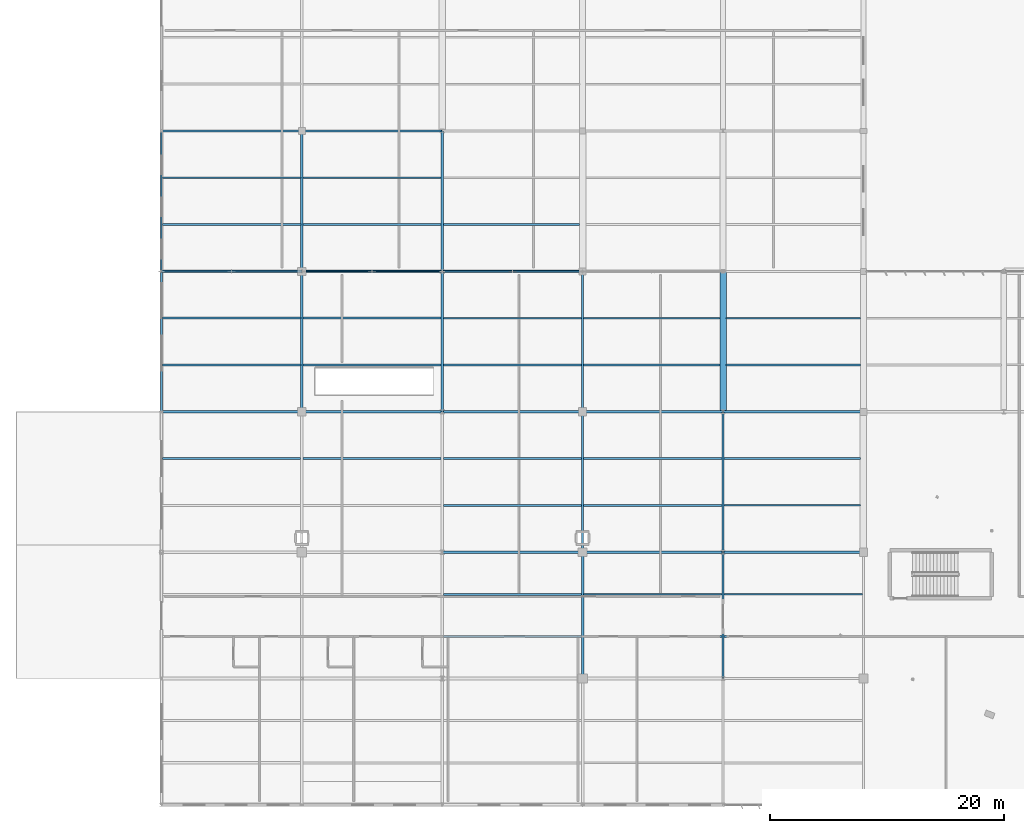
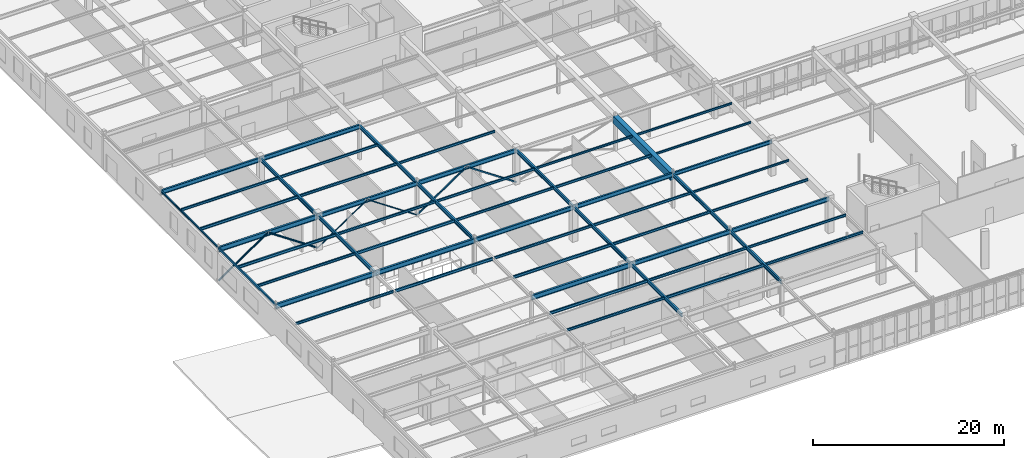
# One storey, part 69 of 199: 54 beams, 6 members.
"""IFC4 building model written with IfcOpenShell, lengths in metres."""

from ifc_helpers import new_model, si_unit, direction, frame, origin, origin_2d, place, context, subcontext, project, spatial, rectangle, hollow_rectangle, hollow_circle, i_section, extrude, material, material_profile, profile_set, type_object, element, save


model = new_model("IFC4")

# Units and contexts
model_context = context("Model", 3, precision=1e-05, world=origin(), true_north=direction((0.0, 1.0)))
body_context = subcontext(model_context, "Body", "Model", "MODEL_VIEW")
ifc_project = project(units=[si_unit("LENGTHUNIT", "METRE"), si_unit("AREAUNIT", "SQUARE_METRE"), si_unit("VOLUMEUNIT", "CUBIC_METRE"), si_unit("PLANEANGLEUNIT", "RADIAN"), si_unit("MASSUNIT", "GRAM", prefix="KILO")], contexts=[model_context])

# Site, building, storey
site_placement = place(None, origin())
site = spatial("IfcSite", under=ifc_project, at=site_placement, CompositionType="ELEMENT")
building_placement = place(site_placement, origin())
building = spatial("IfcBuilding", under=site, at=building_placement, Name="Tarnwether General Hospital", CompositionType="ELEMENT")
storey_placement = place(building_placement, origin())
storey = spatial("IfcBuildingStorey", under=building, at=storey_placement, Name="L00", CompositionType="ELEMENT", Elevation=0.0)

# Beams
ifc_material_1 = material(Name="Steel Grade 350 (350 MPa)", Category="steel")
ifc_material_profile_1 = material_profile(ifc_material_1, i_section(OverallWidth=0.22802734375, OverallDepth=0.60693359375, WebThickness=0.01123046875, FlangeThickness=0.017333984375, at=origin_2d()), Name="610UB113")
ifc_profile_set_1 = profile_set([ifc_material_profile_1], Name="Steel Grade 350 (350 MPa)")
beam_type_1 = type_object("IfcBeamType", Name="BM-G04", PredefinedType="BEAM", material=ifc_profile_set_1)
beam_1_placement = place(storey_placement, frame((0.0, 33.60009765625, 4.1416015625), z_axis=(1.0, 0.0, 0.0), x_axis=(0.0, 1.0, 0.0)))
element("IfcBeam", 1, at=beam_1_placement, inside=storey, type_object=beam_type_1, Name="Primary Girder BMG-L00-0_3360-1200_3360-0585", PredefinedType="BEAM", context=body_context, shape_type="SweptSolid", body=[
    extrude(i_section(OverallWidth=0.22802734375, OverallDepth=0.60693359375, WebThickness=0.01123046875, FlangeThickness=0.017333984375, at=origin_2d()), origin(), (0.0, 0.0, 1.0), 12.0),
])
ifc_material_2 = material(Name="Steel Grade 350 (350 MPa)", Category="steel")
ifc_material_profile_2 = material_profile(ifc_material_2, i_section(OverallWidth=0.22802734375, OverallDepth=0.60205078125, WebThickness=0.010498046875, FlangeThickness=0.014892578125, at=origin_2d()), Name="610UB101")
ifc_profile_set_2 = profile_set([ifc_material_profile_2], Name="Steel Grade 350 (350 MPa)")
beam_type_2 = type_object("IfcBeamType", Name="BM-G05", PredefinedType="BEAM", material=ifc_profile_set_2)
for number, where, z_axis, x_axis, name in (
    (2, (0.0, 45.60009765625, 4.14404296875), (1.0, 0.0, 0.0), (0.0, 1.0, 0.0), "Primary Girder BMG-L00-0_4560-1200_4560-0587"),
    (3, (12.0, 33.60009765625, 4.14404296875), (1.0, 0.0, 0.0), (0.0, 1.0, 0.0), "Primary Girder BMG-L00-1200_3360-2400_3360-0608"),
    (4, (24.0, 21.60009765625, 4.14404296875), (1.0, 0.0, 0.0), (0.0, 1.0, 0.0), "Primary Girder BMG-L00-2400_2160-3600_2160-0629"),
):
    element("IfcBeam", number, at=place(storey_placement, frame(where, z_axis=z_axis, x_axis=x_axis)), inside=storey, type_object=beam_type_2, Name=name, PredefinedType="BEAM", context=body_context, shape_type="SweptSolid", body=[
        extrude(i_section(OverallWidth=0.22802734375, OverallDepth=0.60205078125, WebThickness=0.010498046875, FlangeThickness=0.014892578125, at=origin_2d()), origin(), (0.0, 0.0, 1.0), 12.0),
    ])
ifc_material_3 = material(Name="Steel Grade 350 (350 MPa)", Category="steel")
ifc_material_profile_3 = material_profile(ifc_material_3, i_section(OverallWidth=0.208984375, OverallDepth=0.532958984375, WebThickness=0.01025390625, FlangeThickness=0.015625, at=origin_2d()), Name="530UB92.4")
ifc_profile_set_3 = profile_set([ifc_material_profile_3], Name="Steel Grade 350 (350 MPa)")
beam_type_3 = type_object("IfcBeamType", Name="BM-G06", PredefinedType="BEAM", material=ifc_profile_set_3)
for number, where, z_axis, x_axis, name in (
    (5, (0.0, 57.60009765625, 4.178466796875), (1.0, 0.0, 0.0), (0.0, 1.0, 0.0), "Primary Girder BMG-L00-0_5760-1200_5760-0589"),
    (6, (12.0, 45.60009765625, 4.178466796875), (1.0, 0.0, 0.0), (0.0, 1.0, 0.0), "Primary Girder BMG-L00-1200_4560-2400_4560-0610"),
    (7, (24.0, 33.60009765625, 4.178466796875), (1.0, 0.0, 0.0), (0.0, 1.0, 0.0), "Primary Girder BMG-L00-2400_3360-3600_3360-0631"),
    (8, (36.0, 21.60009765625, 4.178466796875), (1.0, 0.0, 0.0), (0.0, 1.0, 0.0), "Primary Girder BMG-L00-3600_2160-4800_2160-0652"),
):
    element("IfcBeam", number, at=place(storey_placement, frame(where, z_axis=z_axis, x_axis=x_axis)), inside=storey, type_object=beam_type_3, Name=name, PredefinedType="BEAM", context=body_context, shape_type="SweptSolid", body=[
        extrude(i_section(OverallWidth=0.208984375, OverallDepth=0.532958984375, WebThickness=0.01025390625, FlangeThickness=0.015625, at=origin_2d()), origin(), (0.0, 0.0, 1.0), 12.0),
    ])
ifc_material_4 = material(Name="Steel Grade 350 (350 MPa)", Category="steel")
ifc_material_profile_4 = material_profile(ifc_material_4, i_section(OverallWidth=0.208984375, OverallDepth=0.528076171875, WebThickness=0.009521484375, FlangeThickness=0.01318359375, at=origin_2d()), Name="530UB82.0")
ifc_profile_set_4 = profile_set([ifc_material_profile_4], Name="Steel Grade 350 (350 MPa)")
beam_type_4 = type_object("IfcBeamType", Name="BM-G07", PredefinedType="BEAM", material=ifc_profile_set_4)
for number, where, z_axis, x_axis, name in (
    (9, (12.0, 57.60009765625, 4.180908203125), (1.0, 0.0, 0.0), (0.0, 1.0, 0.0), "Primary Girder BMG-L00-1200_5760-2400_5760-0612"),
    (10, (24.0, 45.60009765625, 4.180908203125), (1.0, 0.0, 0.0), (0.0, 1.0, 0.0), "Primary Girder BMG-L00-2400_4560-3600_4560-0633"),
    (11, (36.0, 33.60009765625, 4.180908203125), (1.0, 0.0, 0.0), (0.0, 1.0, 0.0), "Primary Girder BMG-L00-3600_3360-4800_3360-0654"),
    (12, (48.0, 21.60009765625, 4.180908203125), (1.0, 0.0, 0.0), (0.0, 1.0, 0.0), "Primary Girder BMG-L00-4800_2160-6000_2160-0673"),
):
    element("IfcBeam", number, at=place(storey_placement, frame(where, z_axis=z_axis, x_axis=x_axis)), inside=storey, type_object=beam_type_4, Name=name, PredefinedType="BEAM", context=body_context, shape_type="SweptSolid", body=[
        extrude(i_section(OverallWidth=0.208984375, OverallDepth=0.528076171875, WebThickness=0.009521484375, FlangeThickness=0.01318359375, at=origin_2d()), origin(), (0.0, 0.0, 1.0), 12.0),
    ])
ifc_material_5 = material(Name="Steel Grade 350 (350 MPa)", Category="steel")
ifc_material_profile_5 = material_profile(ifc_material_5, i_section(OverallWidth=0.19091796875, OverallDepth=0.4599609375, WebThickness=0.010009765625, FlangeThickness=0.01611328125, at=origin_2d()), Name="460UB82.1")
ifc_profile_set_5 = profile_set([ifc_material_profile_5], Name="Steel Grade 350 (350 MPa)")
beam_type_5 = type_object("IfcBeamType", Name="BM-G08", PredefinedType="BEAM", material=ifc_profile_set_5)
beam_2_placement = place(storey_placement, frame((12.0, 33.60009765625, 4.215087890625), z_axis=(0.0, 1.0, 0.0), x_axis=(-1.0, 0.0, 0.0)))
element("IfcBeam", 13, at=beam_2_placement, inside=storey, type_object=beam_type_5, Name="Primary Girder BMG-L00-1200_3360-1200_4560-0609", PredefinedType="BEAM", context=body_context, shape_type="SweptSolid", body=[
    extrude(i_section(OverallWidth=0.19091796875, OverallDepth=0.4599609375, WebThickness=0.010009765625, FlangeThickness=0.01611328125, at=origin_2d()), origin(), (0.0, 0.0, 1.0), 12.0),
])
beam_3_placement = place(storey_placement, frame((36.0, 10.800048828125, 4.215087890625), z_axis=(0.0, 1.0, 0.0), x_axis=(-1.0, 0.0, 0.0)))
element("IfcBeam", 14, at=beam_3_placement, inside=storey, type_object=beam_type_5, Name="Primary Girder BMG-L00-3600_1080-3600_2160-0651", PredefinedType="BEAM", context=body_context, shape_type="SweptSolid", body=[
    extrude(i_section(OverallWidth=0.19091796875, OverallDepth=0.4599609375, WebThickness=0.010009765625, FlangeThickness=0.01611328125, at=origin_2d()), origin(), (0.0, 0.0, 1.0), 10.800048828125),
])
beam_4_placement = place(storey_placement, frame((48.0, 33.60009765625, 4.215087890625), z_axis=(1.0, 0.0, 0.0), x_axis=(0.0, 1.0, 0.0)))
element("IfcBeam", 15, at=beam_4_placement, inside=storey, type_object=beam_type_5, Name="Primary Girder BMG-L00-4800_3360-6000_3360-0675", PredefinedType="BEAM", context=body_context, shape_type="SweptSolid", body=[
    extrude(i_section(OverallWidth=0.19091796875, OverallDepth=0.4599609375, WebThickness=0.010009765625, FlangeThickness=0.01611328125, at=origin_2d()), origin(), (0.0, 0.0, 1.0), 12.0),
])
ifc_material_6 = material(Name="Steel Grade 350 (350 MPa)", Category="steel")
ifc_material_profile_6 = material_profile(ifc_material_6, i_section(OverallWidth=0.18994140625, OverallDepth=0.45703125, WebThickness=0.009033203125, FlangeThickness=0.014404296875, at=origin_2d()), Name="460UB74.6")
ifc_profile_set_6 = profile_set([ifc_material_profile_6], Name="Steel Grade 350 (350 MPa)")
beam_type_6 = type_object("IfcBeamType", Name="BM-G09", PredefinedType="BEAM", material=ifc_profile_set_6)
for number, where, z_axis, x_axis, name in (
    (16, (12.0, 45.60009765625, 4.216552734375), (0.0, 1.0, 0.0), (-1.0, 0.0, 0.0), "Primary Girder BMG-L00-1200_4560-1200_5760-0611"),
    (17, (24.0, 33.60009765625, 4.216552734375), (0.0, 1.0, 0.0), (-1.0, 0.0, 0.0), "Primary Girder BMG-L00-2400_3360-2400_4560-0632"),
    (18, (36.0, 21.60009765625, 4.216552734375), (0.0, 1.0, 0.0), (-1.0, 0.0, 0.0), "Primary Girder BMG-L00-3600_2160-3600_3360-0653"),
):
    element("IfcBeam", number, at=place(storey_placement, frame(where, z_axis=z_axis, x_axis=x_axis)), inside=storey, type_object=beam_type_6, Name=name, PredefinedType="BEAM", context=body_context, shape_type="SweptSolid", body=[
        extrude(i_section(OverallWidth=0.18994140625, OverallDepth=0.45703125, WebThickness=0.009033203125, FlangeThickness=0.014404296875, at=origin_2d()), origin(), (0.0, 0.0, 1.0), 12.0),
    ])
beam_5_placement = place(storey_placement, frame((48.0, 10.800048828125, 4.216552734375), z_axis=(0.0, 1.0, 0.0), x_axis=(-1.0, 0.0, 0.0)))
element("IfcBeam", 19, at=beam_5_placement, inside=storey, type_object=beam_type_6, Name="Primary Girder BMG-L00-4800_1080-4800_2160-0672", PredefinedType="BEAM", context=body_context, shape_type="SweptSolid", body=[
    extrude(i_section(OverallWidth=0.18994140625, OverallDepth=0.45703125, WebThickness=0.009033203125, FlangeThickness=0.014404296875, at=origin_2d()), origin(), (0.0, 0.0, 1.0), 10.800048828125),
])
ifc_material_7 = material(Name="Steel Grade 350 (350 MPa)", Category="steel")
ifc_material_profile_7 = material_profile(ifc_material_7, i_section(OverallWidth=0.18994140625, OverallDepth=0.4541015625, WebThickness=0.008544921875, FlangeThickness=0.0126953125, at=origin_2d()), Name="460UB67.1")
ifc_profile_set_7 = profile_set([ifc_material_profile_7], Name="Steel Grade 350 (350 MPa)")
beam_type_7 = type_object("IfcBeamType", Name="BM-G10", PredefinedType="BEAM", material=ifc_profile_set_7)
for number, where, z_axis, x_axis, name in (
    (20, (24.0, 45.60009765625, 4.218017578125), (0.0, 1.0, 0.0), (-1.0, 0.0, 0.0), "Primary Girder BMG-L00-2400_4560-2400_5760-0634"),
    (21, (36.0, 33.60009765625, 4.218017578125), (0.0, 1.0, 0.0), (-1.0, 0.0, 0.0), "Primary Girder BMG-L00-3600_3360-3600_4560-0655"),
    (22, (48.0, 21.60009765625, 4.218017578125), (0.0, 1.0, 0.0), (-1.0, 0.0, 0.0), "Primary Girder BMG-L00-4800_2160-4800_3360-0674"),
):
    element("IfcBeam", number, at=place(storey_placement, frame(where, z_axis=z_axis, x_axis=x_axis)), inside=storey, type_object=beam_type_7, Name=name, PredefinedType="BEAM", context=body_context, shape_type="SweptSolid", body=[
        extrude(i_section(OverallWidth=0.18994140625, OverallDepth=0.4541015625, WebThickness=0.008544921875, FlangeThickness=0.0126953125, at=origin_2d()), origin(), (0.0, 0.0, 1.0), 12.0),
    ])
ifc_material_8 = material(Name="Concrete 40 MPa", Category="concrete")
ifc_material_profile_8 = material_profile(ifc_material_8, rectangle(XDim=0.550048828125, YDim=0.949951171875, at=origin_2d()), Name="RC-BM-550x950")
ifc_profile_set_8 = profile_set([ifc_material_profile_8], Name="Concrete 40 MPa")
beam_type_8 = type_object("IfcBeamType", Name="BM-G11", PredefinedType="BEAM", material=ifc_profile_set_8)
beam_6_placement = place(storey_placement, frame((48.0, 33.60009765625, 3.969970703125), z_axis=(0.0, 1.0, 0.0), x_axis=(-1.0, 0.0, 0.0)))
element("IfcBeam", 23, at=beam_6_placement, inside=storey, type_object=beam_type_8, Name="Primary Girder BMG-L00-4800_3360-4800_4560-0676", PredefinedType="BEAM", context=body_context, shape_type="SweptSolid", body=[
    extrude(rectangle(XDim=0.550048828125, YDim=0.949951171875, at=origin_2d()), origin(), (0.0, 0.0, 1.0), 12.0),
])
ifc_material_9 = material(Name="Steel Grade 350 (350 MPa)", Category="steel")
ifc_material_profile_9 = material_profile(ifc_material_9, i_section(OverallWidth=0.166015625, OverallDepth=0.306884765625, WebThickness=0.006591796875, FlangeThickness=0.01171875, at=origin_2d()), Name="310UB46.2")
ifc_profile_set_9 = profile_set([ifc_material_profile_9], Name="Steel Grade 350 (350 MPa)")
beam_type_9 = type_object("IfcBeamType", Name="BM-J05", PredefinedType="JOIST", material=ifc_profile_set_9)
beam_7_placement = place(storey_placement, frame((0.093994140625, 29.60009765625, 4.29150390625), z_axis=(1.0, 0.0, 0.0), x_axis=(0.0, 1.0, 0.0)))
element("IfcBeam", 24, at=beam_7_placement, inside=storey, type_object=beam_type_9, Name="Composite Floor Joist BMG-L00-9_2960-1190_2960-0868", PredefinedType="JOIST", context=body_context, shape_type="SweptSolid", body=[
    extrude(i_section(OverallWidth=0.166015625, OverallDepth=0.306884765625, WebThickness=0.006591796875, FlangeThickness=0.01171875, at=origin_2d()), origin(), (0.0, 0.0, 1.0), 11.80810546875),
])
beam_8_placement = place(storey_placement, frame((0.080078125, 37.60009765625, 4.29150390625), z_axis=(1.0, 0.0, 0.0), x_axis=(0.0, 1.0, 0.0)))
element("IfcBeam", 25, at=beam_8_placement, inside=storey, type_object=beam_type_9, Name="Composite Floor Joist BMG-L00-8_3760-1191_3760-0869", PredefinedType="JOIST", context=body_context, shape_type="SweptSolid", body=[
    extrude(i_section(OverallWidth=0.166015625, OverallDepth=0.306884765625, WebThickness=0.006591796875, FlangeThickness=0.01171875, at=origin_2d()), origin(), (0.0, 0.0, 1.0), 11.830810546875),
])
beam_9_placement = place(storey_placement, frame((24.09912109375, 14.39990234375, 4.29150390625), z_axis=(1.0, 0.0, 0.0), x_axis=(0.0, 1.0, 0.0)))
element("IfcBeam", 26, at=beam_9_placement, inside=storey, type_object=beam_type_9, Name="Composite Floor Joist BMG-L00-2410_1440-3591_1440-0909", PredefinedType="JOIST", context=body_context, shape_type="SweptSolid", body=[
    extrude(i_section(OverallWidth=0.166015625, OverallDepth=0.306884765625, WebThickness=0.006591796875, FlangeThickness=0.01171875, at=origin_2d()), origin(), (0.0, 0.0, 1.0), 11.810791015625),
])
ifc_material_10 = material(Name="Steel Grade 350 (350 MPa)", Category="steel")
ifc_material_profile_10 = material_profile(ifc_material_10, i_section(OverallWidth=0.1708984375, OverallDepth=0.35205078125, WebThickness=0.0068359375, FlangeThickness=0.009765625, at=origin_2d()), Name="360UB44.7")
ifc_profile_set_10 = profile_set([ifc_material_profile_10], Name="Steel Grade 350 (350 MPa)")
beam_type_10 = type_object("IfcBeamType", Name="BM-J06", PredefinedType="JOIST", material=ifc_profile_set_10)
for number, where, z_axis, x_axis, name in (
    (27, (0.080078125, 41.60009765625, 4.26904296875), (1.0, 0.0, 0.0), (0.0, 1.0, 0.0), "Composite Floor Joist BMG-L00-8_4160-1191_4160-0870"),
    (28, (0.080078125, 49.60009765625, 4.26904296875), (1.0, 0.0, 0.0), (0.0, 1.0, 0.0), "Composite Floor Joist BMG-L00-8_4960-1191_4960-0871"),
):
    element("IfcBeam", number, at=place(storey_placement, frame(where, z_axis=z_axis, x_axis=x_axis)), inside=storey, type_object=beam_type_10, Name=name, PredefinedType="JOIST", context=body_context, shape_type="SweptSolid", body=[
        extrude(i_section(OverallWidth=0.1708984375, OverallDepth=0.35205078125, WebThickness=0.0068359375, FlangeThickness=0.009765625, at=origin_2d()), origin(), (0.0, 0.0, 1.0), 11.830810546875),
    ])
beam_10_placement = place(storey_placement, frame((12.097900390625, 29.60009765625, 4.26904296875), z_axis=(1.0, 0.0, 0.0), x_axis=(0.0, 1.0, 0.0)))
element("IfcBeam", 29, at=beam_10_placement, inside=storey, type_object=beam_type_10, Name="Composite Floor Joist BMG-L00-1210_2960-2391_2960-0890", PredefinedType="JOIST", context=body_context, shape_type="SweptSolid", body=[
    extrude(i_section(OverallWidth=0.1708984375, OverallDepth=0.35205078125, WebThickness=0.0068359375, FlangeThickness=0.009765625, at=origin_2d()), origin(), (0.0, 0.0, 1.0), 11.81201171875),
])
beam_11_placement = place(storey_placement, frame((12.089111328125, 37.60009765625, 4.26904296875), z_axis=(1.0, 0.0, 0.0), x_axis=(0.0, 1.0, 0.0)))
element("IfcBeam", 30, at=beam_11_placement, inside=storey, type_object=beam_type_10, Name="Composite Floor Joist BMG-L00-1209_3760-2391_3760-0891", PredefinedType="JOIST", context=body_context, shape_type="SweptSolid", body=[
    extrude(i_section(OverallWidth=0.1708984375, OverallDepth=0.35205078125, WebThickness=0.0068359375, FlangeThickness=0.009765625, at=origin_2d()), origin(), (0.0, 0.0, 1.0), 11.82177734375),
])
beam_12_placement = place(storey_placement, frame((24.09912109375, 18.0, 4.26904296875), z_axis=(1.0, 0.0, 0.0), x_axis=(0.0, 1.0, 0.0)))
element("IfcBeam", 31, at=beam_12_placement, inside=storey, type_object=beam_type_10, Name="Composite Floor Joist BMG-L00-2410_1800-3591_1800-0910", PredefinedType="JOIST", context=body_context, shape_type="SweptSolid", body=[
    extrude(i_section(OverallWidth=0.1708984375, OverallDepth=0.35205078125, WebThickness=0.0068359375, FlangeThickness=0.009765625, at=origin_2d()), origin(), (0.0, 0.0, 1.0), 11.810791015625),
])
for number, where, z_axis, x_axis, name in (
    (32, (24.090087890625, 25.60009765625, 4.26904296875), (1.0, 0.0, 0.0), (0.0, 1.0, 0.0), "Composite Floor Joist BMG-L00-2409_2560-3591_2560-0911"),
    (33, (36.090087890625, 14.39990234375, 4.26904296875), (1.0, 0.0, 0.0), (0.0, 1.0, 0.0), "Composite Floor Joist BMG-L00-3609_1440-4791_1440-0927"),
):
    element("IfcBeam", number, at=place(storey_placement, frame(where, z_axis=z_axis, x_axis=x_axis)), inside=storey, type_object=beam_type_10, Name=name, PredefinedType="JOIST", context=body_context, shape_type="SweptSolid", body=[
        extrude(i_section(OverallWidth=0.1708984375, OverallDepth=0.35205078125, WebThickness=0.0068359375, FlangeThickness=0.009765625, at=origin_2d()), origin(), (0.0, 0.0, 1.0), 11.82080078125),
    ])
ifc_material_11 = material(Name="Steel Grade 350 (350 MPa)", Category="steel")
ifc_material_profile_11 = material_profile(ifc_material_11, i_section(OverallWidth=0.1650390625, OverallDepth=0.303955078125, WebThickness=0.006103515625, FlangeThickness=0.01025390625, at=origin_2d()), Name="310UB40.4")
ifc_profile_set_11 = profile_set([ifc_material_profile_11], Name="Steel Grade 350 (350 MPa)")
beam_type_11 = type_object("IfcBeamType", Name="BM-J07", PredefinedType="JOIST", material=ifc_profile_set_11)
beam_13_placement = place(storey_placement, frame((0.080078125, 53.60009765625, 4.29296875), z_axis=(1.0, 0.0, 0.0), x_axis=(0.0, 1.0, 0.0)))
element("IfcBeam", 34, at=beam_13_placement, inside=storey, type_object=beam_type_11, Name="Composite Floor Joist BMG-L00-8_5360-1191_5360-0872", PredefinedType="JOIST", context=body_context, shape_type="SweptSolid", body=[
    extrude(i_section(OverallWidth=0.1650390625, OverallDepth=0.303955078125, WebThickness=0.006103515625, FlangeThickness=0.01025390625, at=origin_2d()), origin(), (0.0, 0.0, 1.0), 11.830810546875),
])
for number, where, z_axis, x_axis, name in (
    (35, (12.089111328125, 41.60009765625, 4.29296875), (1.0, 0.0, 0.0), (0.0, 1.0, 0.0), "Composite Floor Joist BMG-L00-1209_4160-2391_4160-0892"),
    (36, (12.089111328125, 49.60009765625, 4.29296875), (1.0, 0.0, 0.0), (0.0, 1.0, 0.0), "Composite Floor Joist BMG-L00-1209_4960-2391_4960-0893"),
):
    element("IfcBeam", number, at=place(storey_placement, frame(where, z_axis=z_axis, x_axis=x_axis)), inside=storey, type_object=beam_type_11, Name=name, PredefinedType="JOIST", context=body_context, shape_type="SweptSolid", body=[
        extrude(i_section(OverallWidth=0.1650390625, OverallDepth=0.303955078125, WebThickness=0.006103515625, FlangeThickness=0.01025390625, at=origin_2d()), origin(), (0.0, 0.0, 1.0), 11.82177734375),
    ])
beam_14_placement = place(storey_placement, frame((24.090087890625, 29.60009765625, 4.29296875), z_axis=(1.0, 0.0, 0.0), x_axis=(0.0, 1.0, 0.0)))
element("IfcBeam", 37, at=beam_14_placement, inside=storey, type_object=beam_type_11, Name="Composite Floor Joist BMG-L00-2409_2960-3591_2960-0912", PredefinedType="JOIST", context=body_context, shape_type="SweptSolid", body=[
    extrude(i_section(OverallWidth=0.1650390625, OverallDepth=0.303955078125, WebThickness=0.006103515625, FlangeThickness=0.01025390625, at=origin_2d()), origin(), (0.0, 0.0, 1.0), 11.82080078125),
])
beam_15_placement = place(storey_placement, frame((24.089111328125, 37.60009765625, 4.29296875), z_axis=(1.0, 0.0, 0.0), x_axis=(0.0, 1.0, 0.0)))
element("IfcBeam", 38, at=beam_15_placement, inside=storey, type_object=beam_type_11, Name="Composite Floor Joist BMG-L00-2409_3760-3591_3760-0913", PredefinedType="JOIST", context=body_context, shape_type="SweptSolid", body=[
    extrude(i_section(OverallWidth=0.1650390625, OverallDepth=0.303955078125, WebThickness=0.006103515625, FlangeThickness=0.01025390625, at=origin_2d()), origin(), (0.0, 0.0, 1.0), 11.82177734375),
])
beam_16_placement = place(storey_placement, frame((36.090087890625, 18.0, 4.29296875), z_axis=(1.0, 0.0, 0.0), x_axis=(0.0, 1.0, 0.0)))
element("IfcBeam", 39, at=beam_16_placement, inside=storey, type_object=beam_type_11, Name="Composite Floor Joist BMG-L00-3609_1800-4791_1800-0928", PredefinedType="JOIST", context=body_context, shape_type="SweptSolid", body=[
    extrude(i_section(OverallWidth=0.1650390625, OverallDepth=0.303955078125, WebThickness=0.006103515625, FlangeThickness=0.01025390625, at=origin_2d()), origin(), (0.0, 0.0, 1.0), 11.82080078125),
])
for number, where, z_axis, x_axis, name in (
    (40, (36.089111328125, 25.60009765625, 4.29296875), (1.0, 0.0, 0.0), (0.0, 1.0, 0.0), "Composite Floor Joist BMG-L00-3609_2560-4791_2560-0929"),
    (41, (48.089111328125, 14.39990234375, 4.29296875), (1.0, 0.0, 0.0), (0.0, 1.0, 0.0), "Composite Floor Joist BMG-L00-4809_1440-5991_1440-0945"),
):
    element("IfcBeam", number, at=place(storey_placement, frame(where, z_axis=z_axis, x_axis=x_axis)), inside=storey, type_object=beam_type_11, Name=name, PredefinedType="JOIST", context=body_context, shape_type="SweptSolid", body=[
        extrude(i_section(OverallWidth=0.1650390625, OverallDepth=0.303955078125, WebThickness=0.006103515625, FlangeThickness=0.01025390625, at=origin_2d()), origin(), (0.0, 0.0, 1.0), 11.82177734375),
    ])
ifc_material_12 = material(Name="Steel Grade 350 (350 MPa)", Category="steel")
ifc_material_profile_12 = material_profile(ifc_material_12, i_section(OverallWidth=0.14892578125, OverallDepth=0.298095703125, WebThickness=0.005615234375, FlangeThickness=0.008056640625, at=origin_2d()), Name="310UB32.0")
ifc_profile_set_12 = profile_set([ifc_material_profile_12], Name="Steel Grade 350 (350 MPa)")
beam_type_12 = type_object("IfcBeamType", Name="BM-J08", PredefinedType="JOIST", material=ifc_profile_set_12)
for number, where, z_axis, x_axis, name in (
    (42, (12.089111328125, 53.60009765625, 4.2958984375), (1.0, 0.0, 0.0), (0.0, 1.0, 0.0), "Composite Floor Joist BMG-L00-1209_5360-2391_5360-0894"),
    (43, (24.089111328125, 41.60009765625, 4.2958984375), (1.0, 0.0, 0.0), (0.0, 1.0, 0.0), "Composite Floor Joist BMG-L00-2409_4160-3591_4160-0914"),
):
    element("IfcBeam", number, at=place(storey_placement, frame(where, z_axis=z_axis, x_axis=x_axis)), inside=storey, type_object=beam_type_12, Name=name, PredefinedType="JOIST", context=body_context, shape_type="SweptSolid", body=[
        extrude(i_section(OverallWidth=0.14892578125, OverallDepth=0.298095703125, WebThickness=0.005615234375, FlangeThickness=0.008056640625, at=origin_2d()), origin(), (0.0, 0.0, 1.0), 11.82177734375),
    ])
beam_17_placement = place(storey_placement, frame((24.089111328125, 49.60009765625, 4.2958984375), z_axis=(1.0, 0.0, 0.0), x_axis=(0.0, 1.0, 0.0)))
element("IfcBeam", 44, at=beam_17_placement, inside=storey, type_object=beam_type_12, Name="Composite Floor Joist BMG-L00-2409_4960-3573_4960-0915", PredefinedType="JOIST", context=body_context, shape_type="SweptSolid", body=[
    extrude(i_section(OverallWidth=0.14892578125, OverallDepth=0.298095703125, WebThickness=0.005615234375, FlangeThickness=0.008056640625, at=origin_2d()), origin(), (0.0, 0.0, 1.0), 11.641845703125),
])
beam_18_placement = place(storey_placement, frame((36.089111328125, 29.60009765625, 4.2958984375), z_axis=(1.0, 0.0, 0.0), x_axis=(0.0, 1.0, 0.0)))
element("IfcBeam", 45, at=beam_18_placement, inside=storey, type_object=beam_type_12, Name="Composite Floor Joist BMG-L00-3609_2960-4791_2960-0930", PredefinedType="JOIST", context=body_context, shape_type="SweptSolid", body=[
    extrude(i_section(OverallWidth=0.14892578125, OverallDepth=0.298095703125, WebThickness=0.005615234375, FlangeThickness=0.008056640625, at=origin_2d()), origin(), (0.0, 0.0, 1.0), 11.82177734375),
])
beam_19_placement = place(storey_placement, frame((36.089111328125, 37.60009765625, 4.2958984375), z_axis=(1.0, 0.0, 0.0), x_axis=(0.0, 1.0, 0.0)))
element("IfcBeam", 46, at=beam_19_placement, inside=storey, type_object=beam_type_12, Name="Composite Floor Joist BMG-L00-3609_3760-4773_3760-0931", PredefinedType="JOIST", context=body_context, shape_type="SweptSolid", body=[
    extrude(i_section(OverallWidth=0.14892578125, OverallDepth=0.298095703125, WebThickness=0.005615234375, FlangeThickness=0.008056640625, at=origin_2d()), origin(), (0.0, 0.0, 1.0), 11.641845703125),
])
beam_20_placement = place(storey_placement, frame((48.089111328125, 18.0, 4.2958984375), z_axis=(1.0, 0.0, 0.0), x_axis=(0.0, 1.0, 0.0)))
element("IfcBeam", 47, at=beam_20_placement, inside=storey, type_object=beam_type_12, Name="Composite Floor Joist BMG-L00-4809_1800-5991_1800-0946", PredefinedType="JOIST", context=body_context, shape_type="SweptSolid", body=[
    extrude(i_section(OverallWidth=0.14892578125, OverallDepth=0.298095703125, WebThickness=0.005615234375, FlangeThickness=0.008056640625, at=origin_2d()), origin(), (0.0, 0.0, 1.0), 11.82177734375),
])
beam_21_placement = place(storey_placement, frame((48.089111328125, 25.60009765625, 4.2958984375), z_axis=(1.0, 0.0, 0.0), x_axis=(0.0, 1.0, 0.0)))
element("IfcBeam", 48, at=beam_21_placement, inside=storey, type_object=beam_type_12, Name="Composite Floor Joist BMG-L00-4809_2560-5973_2560-0947", PredefinedType="JOIST", context=body_context, shape_type="SweptSolid", body=[
    extrude(i_section(OverallWidth=0.14892578125, OverallDepth=0.298095703125, WebThickness=0.005615234375, FlangeThickness=0.008056640625, at=origin_2d()), origin(), (0.0, 0.0, 1.0), 11.641845703125),
])
ifc_material_13 = material(Name="Steel Grade 350 (350 MPa)", Category="steel")
ifc_material_profile_13 = material_profile(ifc_material_13, i_section(OverallWidth=0.14599609375, OverallDepth=0.256103515625, WebThickness=0.00634765625, FlangeThickness=0.010986328125, at=origin_2d()), Name="250UB37.3")
ifc_profile_set_13 = profile_set([ifc_material_profile_13], Name="Steel Grade 350 (350 MPa)")
beam_type_13 = type_object("IfcBeamType", Name="BM-J09", PredefinedType="JOIST", material=ifc_profile_set_13)
for number, where, z_axis, x_axis, name in (
    (49, (36.089111328125, 41.60009765625, 4.31689453125), (1.0, 0.0, 0.0), (0.0, 1.0, 0.0), "Composite Floor Joist BMG-L00-3609_4160-4773_4160-0932"),
    (50, (48.089111328125, 29.60009765625, 4.31689453125), (1.0, 0.0, 0.0), (0.0, 1.0, 0.0), "Composite Floor Joist BMG-L00-4809_2960-5973_2960-0948"),
):
    element("IfcBeam", number, at=place(storey_placement, frame(where, z_axis=z_axis, x_axis=x_axis)), inside=storey, type_object=beam_type_13, Name=name, PredefinedType="JOIST", context=body_context, shape_type="SweptSolid", body=[
        extrude(i_section(OverallWidth=0.14599609375, OverallDepth=0.256103515625, WebThickness=0.00634765625, FlangeThickness=0.010986328125, at=origin_2d()), origin(), (0.0, 0.0, 1.0), 11.641845703125),
    ])
beam_22_placement = place(storey_placement, frame((48.26904296875, 37.60009765625, 4.31689453125), z_axis=(1.0, 0.0, 0.0), x_axis=(0.0, 1.0, 0.0)))
element("IfcBeam", 51, at=beam_22_placement, inside=storey, type_object=beam_type_13, Name="Composite Floor Joist BMG-L00-4827_3760-5976_3760-0949", PredefinedType="JOIST", context=body_context, shape_type="SweptSolid", body=[
    extrude(i_section(OverallWidth=0.14599609375, OverallDepth=0.256103515625, WebThickness=0.00634765625, FlangeThickness=0.010986328125, at=origin_2d()), origin(), (0.0, 0.0, 1.0), 11.487060546875),
])
ifc_material_14 = material(Name="Steel Grade 350 (350 MPa)", Category="steel")
ifc_material_profile_14 = material_profile(ifc_material_14, i_section(OverallWidth=0.14599609375, OverallDepth=0.251953125, WebThickness=0.006103515625, FlangeThickness=0.008544921875, at=origin_2d()), Name="250UB31.4")
ifc_profile_set_14 = profile_set([ifc_material_profile_14], Name="Steel Grade 350 (350 MPa)")
beam_type_14 = type_object("IfcBeamType", Name="BM-J10", PredefinedType="JOIST", material=ifc_profile_set_14)
beam_23_placement = place(storey_placement, frame((48.26904296875, 41.60009765625, 4.319091796875), z_axis=(1.0, 0.0, 0.0), x_axis=(0.0, 1.0, 0.0)))
element("IfcBeam", 52, at=beam_23_placement, inside=storey, type_object=beam_type_14, Name="Composite Floor Joist BMG-L00-4827_4160-5976_4160-0950", PredefinedType="JOIST", context=body_context, shape_type="SweptSolid", body=[
    extrude(i_section(OverallWidth=0.14599609375, OverallDepth=0.251953125, WebThickness=0.006103515625, FlangeThickness=0.008544921875, at=origin_2d()), origin(), (0.0, 0.0, 1.0), 11.487060546875),
])
ifc_material_15 = material(Name="Steel Grade C350L0 (350 MPa)", Category="steel")
ifc_material_profile_15 = material_profile(ifc_material_15, hollow_rectangle(XDim=0.14990234375, YDim=0.25, WallThickness=0.010009765625, at=origin_2d()), Name="RHS250x150x10")
ifc_profile_set_15 = profile_set([ifc_material_profile_15], Name="Steel Grade C350L0 (350 MPa)")
beam_type_15 = type_object("IfcBeamType", Name="BM-SP4", PredefinedType="SPANDREL", material=ifc_profile_set_15)
beam_24_placement = place(storey_placement, frame((0.0, 33.60009765625, 4.320068359375), z_axis=(0.0, 1.0, 0.0), x_axis=(-1.0, 0.0, 0.0)))
element("IfcBeam", 53, at=beam_24_placement, inside=storey, type_object=beam_type_15, Name="Primary Girder BMG-L00-0_3360-0_4560-0586", PredefinedType="SPANDREL", context=body_context, shape_type="SweptSolid", body=[
    extrude(hollow_rectangle(XDim=0.14990234375, YDim=0.25, WallThickness=0.010009765625, at=origin_2d()), origin(), (0.0, 0.0, 1.0), 12.0),
])
ifc_material_16 = material(Name="Steel Grade 350 (350 MPa)", Category="steel")
ifc_material_profile_16 = material_profile(ifc_material_16, i_section(OverallWidth=0.133056640625, OverallDepth=0.202880859375, WebThickness=0.005859375, FlangeThickness=0.0078125, at=origin_2d()), Name="200UB25.4")
ifc_profile_set_16 = profile_set([ifc_material_profile_16], Name="Steel Grade 350 (350 MPa)")
beam_type_16 = type_object("IfcBeamType", Name="BM-SP5", PredefinedType="SPANDREL", material=ifc_profile_set_16)
beam_25_placement = place(storey_placement, frame((0.0, 45.60009765625, 4.343505859375), z_axis=(0.0, 1.0, 0.0), x_axis=(-1.0, 0.0, 0.0)))
element("IfcBeam", 54, at=beam_25_placement, inside=storey, type_object=beam_type_16, Name="Primary Girder BMG-L00-0_4560-0_5760-0588", PredefinedType="SPANDREL", context=body_context, shape_type="SweptSolid", body=[
    extrude(i_section(OverallWidth=0.133056640625, OverallDepth=0.202880859375, WebThickness=0.005859375, FlangeThickness=0.0078125, at=origin_2d()), origin(), (0.0, 0.0, 1.0), 12.0),
])

# Members
ifc_material_17 = material(Name="Steel Grade C350L0 (350 MPa)", Category="steel")
ifc_material_profile_17 = material_profile(ifc_material_17, hollow_circle(Radius=0.109619140625, WallThickness=0.010009765625, at=origin_2d()), Name="CHS219.1x10.0")
ifc_profile_set_17 = profile_set([ifc_material_profile_17], Name="Steel Grade C350L0 (350 MPa)")
member_type_1 = type_object("IfcMemberType", Name="MB-BR3", PredefinedType="BRACE", material=ifc_profile_set_17)
for number, where, z_axis, x_axis, name in (
    (55, (0.0, 45.60009765625, 0.139892578125), (0.827875799238, 0.0, 0.560911455612), (0.0, 1.0, 0.0), "Braced Frame Diagonal 009"),
    (56, (12.0, 45.60009765625, 0.139892578125), (-0.827875799238, 0.0, 0.560911455612), (0.0, -1.0, 0.0), "Braced Frame Diagonal 010"),
):
    element("IfcMember", number, at=place(storey_placement, frame(where, z_axis=z_axis, x_axis=x_axis)), inside=storey, type_object=member_type_1, Name=name, PredefinedType="BRACE", context=body_context, shape_type="SweptSolid", body=[
        extrude(hollow_circle(Radius=0.109619140625, WallThickness=0.010009765625, at=origin_2d()), origin(), (0.0, 0.0, 1.0), 7.24755859375),
    ])
ifc_material_18 = material(Name="Steel Grade C350L0 (350 MPa)", Category="steel")
ifc_material_profile_18 = material_profile(ifc_material_18, hollow_circle(Radius=0.06982421875, WallThickness=0.00634765625, at=origin_2d()), Name="CHS139.7x6.4")
ifc_profile_set_18 = profile_set([ifc_material_profile_18], Name="Steel Grade C350L0 (350 MPa)")
member_type_2 = type_object("IfcMemberType", Name="MB-BR6", PredefinedType="BRACE", material=ifc_profile_set_18)
for number, where, z_axis, x_axis, name in (
    (57, (12.0, 45.60009765625, 0.139892578125), (0.827875799238, 0.0, 0.560911455612), (0.0, 1.0, 0.0), "Braced Frame Diagonal 011"),
    (58, (24.0, 45.60009765625, 0.139892578125), (-0.827875799238, 0.0, 0.560911455612), (0.0, -1.0, 0.0), "Braced Frame Diagonal 012"),
):
    element("IfcMember", number, at=place(storey_placement, frame(where, z_axis=z_axis, x_axis=x_axis)), inside=storey, type_object=member_type_2, Name=name, PredefinedType="BRACE", context=body_context, shape_type="SweptSolid", body=[
        extrude(hollow_circle(Radius=0.06982421875, WallThickness=0.00634765625, at=origin_2d()), origin(), (0.0, 0.0, 1.0), 7.24755859375),
    ])
ifc_material_19 = material(Name="Steel Grade C350L0 (350 MPa)", Category="steel")
ifc_material_profile_19 = material_profile(ifc_material_19, hollow_rectangle(XDim=0.14990234375, YDim=0.14990234375, WallThickness=0.008056640625, at=origin_2d()), Name="SHS150x150x8")
ifc_profile_set_19 = profile_set([ifc_material_profile_19], Name="Steel Grade C350L0 (350 MPa)")
member_type_3 = type_object("IfcMemberType", Name="MB-BR9", PredefinedType="BRACE", material=ifc_profile_set_19)
for number, where, z_axis, x_axis, name in (
    (59, (24.0, 45.60009765625, 0.139892578125), (0.827875799238, 0.0, 0.560911455612), (0.0, 1.0, 0.0), "Braced Frame Diagonal 013"),
    (60, (36.0, 45.60009765625, 0.139892578125), (-0.827875799238, 0.0, 0.560911455612), (0.0, -1.0, 0.0), "Braced Frame Diagonal 014"),
):
    element("IfcMember", number, at=place(storey_placement, frame(where, z_axis=z_axis, x_axis=x_axis)), inside=storey, type_object=member_type_3, Name=name, PredefinedType="BRACE", context=body_context, shape_type="SweptSolid", body=[
        extrude(hollow_rectangle(XDim=0.14990234375, YDim=0.14990234375, WallThickness=0.008056640625, at=origin_2d()), origin(), (0.0, 0.0, 1.0), 7.24755859375),
    ])

save(model, "model.ifc")
